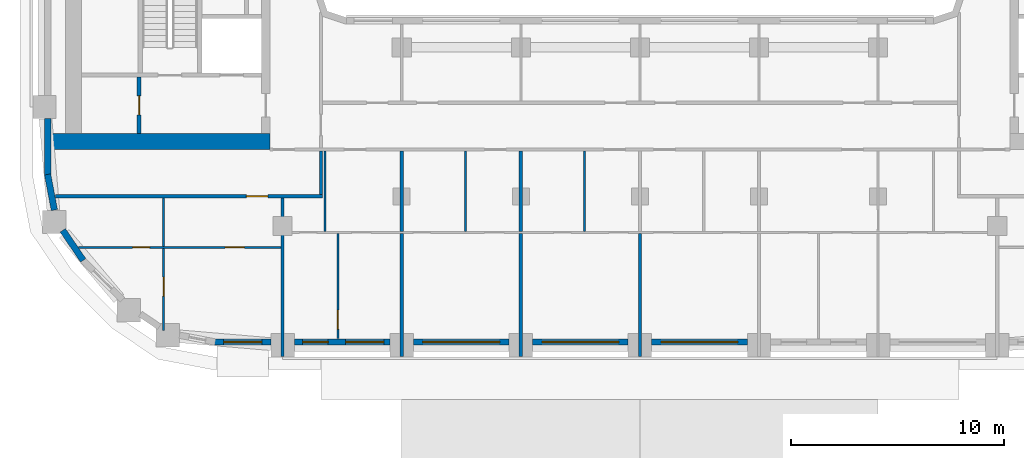
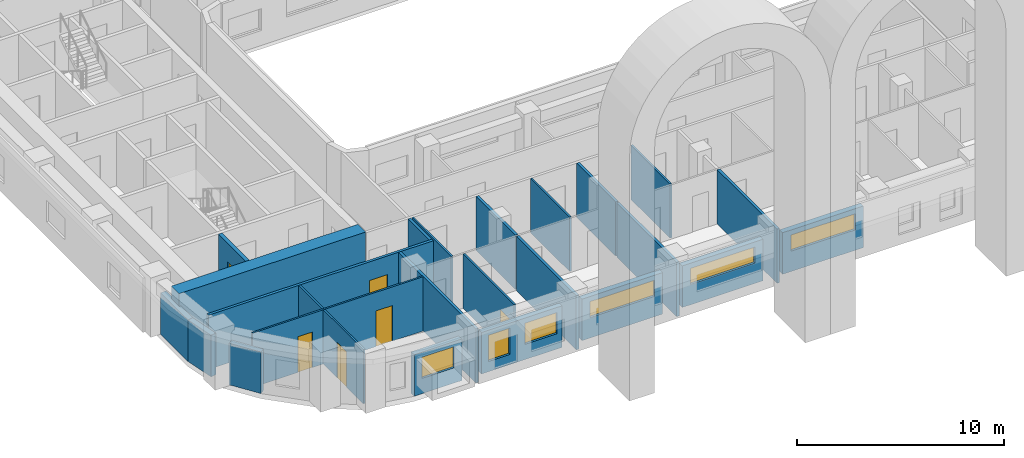
# One storey, part 2 of 18: 25 walls, 6 doors, 6 windows, 12 openings.
"""IFC4 building model written with IfcOpenShell, lengths in metres."""

from ifc_helpers import new_model, si_unit, direction, frame, frame_2d, origin, place, context, subcontext, project, spatial, rectangle, extrude, material, layer, layer_set, type_object, element, fill, save


model = new_model("IFC4")

# Units and contexts
model_context = context("Model", 3, precision=1e-05, world=origin(), true_north=direction((0.0, 1.0)))
body_context = subcontext(model_context, "Body", "Model", "MODEL_VIEW")
ifc_project = project(units=[si_unit("LENGTHUNIT", "METRE"), si_unit("AREAUNIT", "SQUARE_METRE"), si_unit("VOLUMEUNIT", "CUBIC_METRE"), si_unit("PLANEANGLEUNIT", "RADIAN"), si_unit("MASSUNIT", "GRAM", prefix="KILO")], contexts=[model_context])

# Site, building, storey
site_placement = place(None, origin())
site = spatial("IfcSite", under=ifc_project, at=site_placement, CompositionType="ELEMENT")
building_placement = place(site_placement, origin())
building = spatial("IfcBuilding", under=site, at=building_placement, Name="Kiln Ring Residences", CompositionType="ELEMENT")
storey_placement = place(building_placement, frame((0.0, 0.0, 157.10009765625)))
storey = spatial("IfcBuildingStorey", under=building, at=storey_placement, Name="L40", CompositionType="ELEMENT", Elevation=157.10009765625)

# Wall, opening, door
ifc_material_1 = material(Name="Gypsum board on steel studs", Category="steel")
ifc_layer_1 = layer(ifc_material_1, 0.199951171875)
ifc_layer_set_1 = layer_set([ifc_layer_1], Name="CORE-PARTITION-200")
wall_type_1 = type_object("IfcWallType", Name="CORE-PARTITION-200", PredefinedType="PARTITIONING", material=ifc_layer_set_1)
wall_1_placement = place(storey_placement, frame((-23.550048828125, -12.449951171875, 0.0), z_axis=(0.0, 0.0, 1.0), x_axis=(0.0, 1.0, 0.0)))
wall_1 = element("IfcWall", 1, at=wall_1_placement, inside=storey, type_object=wall_type_1, Name="Core partition west L40 5", PredefinedType="PARTITIONING", context=body_context, shape_type="SweptSolid", body=[
    extrude(rectangle(XDim=2.64990234375, YDim=0.199951171875, at=frame_2d((1.324951171875, 0.0))), origin(), (0.0, 0.0, 1.0), 3.199951171875),
])
opening_1_placement = place(wall_1_placement, frame((0.875, 0.0, 0.0)))
opening_1 = element("IfcOpeningElement", 2, at=opening_1_placement, cuts=wall_1, Name="Opening L40-CW10", PredefinedType="OPENING", context=body_context, shape_type="SweptSolid", body=[
    extrude(rectangle(XDim=0.89990234375, YDim=2.10009765625, at=frame_2d((0.449951171875, 1.050048828125))), frame((0.0, 0.10986328125, 0.0), z_axis=(0.0, -1.0, 0.0), x_axis=(1.0, 0.0, 0.0)), (0.0, 0.0, 1.0), 0.219970703125),
])
ifc_material_2 = material(Name="Steel door leaf", Category="steel")
door_type_1 = type_object("IfcDoorType", Name="CORE-DOOR-ROOM", OperationType="SINGLE_SWING_LEFT", PredefinedType="DOOR", material=ifc_material_2)
door_1_placement = place(opening_1_placement, origin())
door_1 = element("IfcDoor", 3, at=door_1_placement, inside=storey, type_object=door_type_1, Name="Store L40-CW10", OperationType="SINGLE_SWING_RIGHT", OverallHeight=2.10009765625, OverallWidth=0.89990234375, PredefinedType="DOOR", context=body_context, shape_type="SweptSolid", body=[
    extrude(rectangle(XDim=0.89990234375, YDim=2.10009765625, at=frame_2d((0.449951171875, 1.050048828125))), frame((0.0, 0.02490234375, 0.0), z_axis=(0.0, -1.0, 0.0), x_axis=(1.0, 0.0, 0.0)), (0.0, 0.0, 1.0), 0.050048828125),
])
fill(opening_1, door_1)

# Wall
ifc_material_3 = material(Name="Concrete C60/75", Category="concrete")
ifc_layer_2 = layer(ifc_material_3, 0.75)
ifc_layer_set_2 = layer_set([ifc_layer_2], Name="CORE-WALL-RC750")
wall_type_2 = type_object("IfcWallType", Name="CORE-WALL-RC750", PredefinedType="SHEAR", material=ifc_layer_set_2)
wall_2_placement = place(storey_placement, frame((-17.39990234375, -12.824951171875, 0.0), z_axis=(0.0, 0.0, 1.0), x_axis=(-1.0, 0.0, 0.0)))
element("IfcWall", 4, at=wall_2_placement, inside=storey, type_object=wall_type_2, Name="Core wall west L40 5", PredefinedType="SHEAR", context=body_context, shape_type="SweptSolid", body=[
    extrude(rectangle(XDim=10.400146484375, YDim=0.75, at=frame_2d((5.2001953125, 0.0))), origin(), (0.0, 0.0, 1.0), 3.199951171875),
])

# Wall, opening, window
ifc_material_4 = material(Name="Brick masonry, dark clay brick", Category="masonry")
ifc_layer_3 = layer(ifc_material_4, 0.300048828125)
ifc_layer_set_3 = layer_set([ifc_layer_3], Name="EW-300 BRICK WALL")
wall_type_3 = type_object("IfcWallType", Name="EW-300 BRICK WALL", PredefinedType="SOLIDWALL", material=ifc_layer_set_3)
wall_3_placement = place(storey_placement, frame((-20.0, -22.25, 0.0), z_axis=(0.0, 0.0, 1.0), x_axis=(1.0, 0.0, 0.0)))
wall_3 = element("IfcWall", 5, at=wall_3_placement, inside=storey, type_object=wall_type_3, Name="Facade wall L40 4", PredefinedType="SOLIDWALL", context=body_context, shape_type="SweptSolid", body=[
    extrude(rectangle(XDim=2.64990234375, YDim=0.300048828125, at=frame_2d((1.324951171875, 0.0))), origin(), (0.0, 0.0, 1.0), 2.449951171875),
])
opening_2_placement = place(wall_3_placement, frame((0.425048828125, 0.0, 0.89990234375)))
opening_2 = element("IfcOpeningElement", 6, at=opening_2_placement, cuts=wall_3, Name="Opening W2", PredefinedType="OPENING", context=body_context, shape_type="SweptSolid", body=[
    extrude(rectangle(XDim=1.800048828125, YDim=1.25, at=frame_2d((0.89990234375, 0.625))), frame((0.0, 0.159912109375, 0.0), z_axis=(0.0, -1.0, 0.0), x_axis=(1.0, 0.0, 0.0)), (0.0, 0.0, 1.0), 0.320068359375),
])
ifc_material_5 = material(Name="Aluminium frame with double glazing", Category="aluminium")
window_type_1 = type_object("IfcWindowType", Name="WINDOW 1800 x 1250", PartitioningType="SINGLE_PANEL", PredefinedType="WINDOW", material=ifc_material_5)
window_1_placement = place(opening_2_placement, origin())
window_1 = element("IfcWindow", 7, at=window_1_placement, inside=storey, type_object=window_type_1, Name="Window L40 3", OverallHeight=1.25, OverallWidth=1.800048828125, PartitioningType="SINGLE_PANEL", PredefinedType="WINDOW", context=body_context, shape_type="SweptSolid", body=[
    extrude(rectangle(XDim=1.800048828125, YDim=1.25, at=frame_2d((0.89990234375, 0.625))), frame((0.0, 0.030029296875, 0.0), z_axis=(0.0, -1.0, 0.0), x_axis=(1.0, 0.0, 0.0)), (0.0, 0.0, 1.0), 0.06005859375),
])
fill(opening_2, window_1)

# Wall, openings, windows
wall_4_placement = place(storey_placement, frame((-16.25, -22.25, 0.0), z_axis=(0.0, 0.0, 1.0), x_axis=(1.0, 0.0, 0.0)))
wall_4 = element("IfcWall", 8, at=wall_4_placement, inside=storey, type_object=wall_type_3, Name="Facade wall L40 5", PredefinedType="SOLIDWALL", context=body_context, shape_type="SweptSolid", body=[
    extrude(rectangle(XDim=4.5, YDim=0.300048828125, at=frame_2d((2.25, 0.0))), origin(), (0.0, 0.0, 1.0), 2.449951171875),
])
opening_3_placement = place(wall_4_placement, frame((0.387451171875, 0.0, 0.60009765625)))
opening_3 = element("IfcOpeningElement", 9, at=opening_3_placement, cuts=wall_4, Name="Opening W1", PredefinedType="OPENING", context=body_context, shape_type="SweptSolid", body=[
    extrude(rectangle(XDim=1.199951171875, YDim=1.550048828125, at=frame_2d((0.60009765625, 0.77490234375))), frame((0.0, 0.159912109375, 0.0), z_axis=(0.0, -1.0, 0.0), x_axis=(1.0, 0.0, 0.0)), (0.0, 0.0, 1.0), 0.320068359375),
])
opening_4_placement = place(wall_4_placement, frame((2.41259765625, 0.0, 0.89990234375)))
opening_4 = element("IfcOpeningElement", 10, at=opening_4_placement, cuts=wall_4, Name="Opening W2", PredefinedType="OPENING", context=body_context, shape_type="SweptSolid", body=[
    extrude(rectangle(XDim=1.800048828125, YDim=1.25, at=frame_2d((0.89990234375, 0.625))), frame((0.0, 0.159912109375, 0.0), z_axis=(0.0, -1.0, 0.0), x_axis=(1.0, 0.0, 0.0)), (0.0, 0.0, 1.0), 0.320068359375),
])
ifc_material_6 = material(Name="Aluminium frame with double glazing", Category="aluminium")
window_type_2 = type_object("IfcWindowType", Name="WINDOW 1200 x 1550", PartitioningType="SINGLE_PANEL", PredefinedType="WINDOW", material=ifc_material_6)
window_2_placement = place(opening_3_placement, origin())
window_2 = element("IfcWindow", 11, at=window_2_placement, inside=storey, type_object=window_type_2, Name="Window L40 4", OverallHeight=1.550048828125, OverallWidth=1.199951171875, PartitioningType="SINGLE_PANEL", PredefinedType="WINDOW", context=body_context, shape_type="SweptSolid", body=[
    extrude(rectangle(XDim=1.199951171875, YDim=1.550048828125, at=frame_2d((0.60009765625, 0.77490234375))), frame((0.0, 0.030029296875, 0.0), z_axis=(0.0, -1.0, 0.0), x_axis=(1.0, 0.0, 0.0)), (0.0, 0.0, 1.0), 0.06005859375),
])
fill(opening_3, window_2)
window_3_placement = place(opening_4_placement, origin())
window_3 = element("IfcWindow", 12, at=window_3_placement, inside=storey, type_object=window_type_1, Name="Window L40 5", OverallHeight=1.25, OverallWidth=1.800048828125, PartitioningType="SINGLE_PANEL", PredefinedType="WINDOW", context=body_context, shape_type="SweptSolid", body=[
    extrude(rectangle(XDim=1.800048828125, YDim=1.25, at=frame_2d((0.89990234375, 0.625))), frame((0.0, 0.030029296875, 0.0), z_axis=(0.0, -1.0, 0.0), x_axis=(1.0, 0.0, 0.0)), (0.0, 0.0, 1.0), 0.06005859375),
])
fill(opening_4, window_3)

# Wall, opening, window
wall_5_placement = place(storey_placement, frame((-10.64990234375, -22.25, 0.0), z_axis=(0.0, 0.0, 1.0), x_axis=(1.0, 0.0, 0.0)))
wall_5 = element("IfcWall", 13, at=wall_5_placement, inside=storey, type_object=wall_type_3, Name="Facade wall L40 6", PredefinedType="SOLIDWALL", context=body_context, shape_type="SweptSolid", body=[
    extrude(rectangle(XDim=4.5, YDim=0.300048828125, at=frame_2d((2.25, 0.0))), origin(), (0.0, 0.0, 1.0), 2.449951171875),
])
opening_5_placement = place(wall_5_placement, frame((0.449951171875, 0.0, 1.199951171875)))
opening_5 = element("IfcOpeningElement", 14, at=opening_5_placement, cuts=wall_5, Name="Opening W4", PredefinedType="OPENING", context=body_context, shape_type="SweptSolid", body=[
    extrude(rectangle(XDim=3.60009765625, YDim=0.949951171875, at=frame_2d((1.800048828125, 0.47509765625))), frame((0.0, 0.159912109375, 0.0), z_axis=(0.0, -1.0, 0.0), x_axis=(1.0, 0.0, 0.0)), (0.0, 0.0, 1.0), 0.320068359375),
])
ifc_material_7 = material(Name="Aluminium frame with double glazing", Category="aluminium")
window_type_3 = type_object("IfcWindowType", Name="WINDOW 3600 x 950", PartitioningType="SINGLE_PANEL", PredefinedType="WINDOW", material=ifc_material_7)
window_4_placement = place(opening_5_placement, origin())
window_4 = element("IfcWindow", 15, at=window_4_placement, inside=storey, type_object=window_type_3, Name="Window L40 6", OverallHeight=0.949951171875, OverallWidth=3.60009765625, PartitioningType="SINGLE_PANEL", PredefinedType="WINDOW", context=body_context, shape_type="SweptSolid", body=[
    extrude(rectangle(XDim=3.60009765625, YDim=0.949951171875, at=frame_2d((1.800048828125, 0.47509765625))), frame((0.0, 0.030029296875, 0.0), z_axis=(0.0, -1.0, 0.0), x_axis=(1.0, 0.0, 0.0)), (0.0, 0.0, 1.0), 0.06005859375),
])
fill(opening_5, window_4)

wall_6_placement = place(storey_placement, frame((-5.050048828125, -22.25, 0.0), z_axis=(0.0, 0.0, 1.0), x_axis=(1.0, 0.0, 0.0)))
wall_6 = element("IfcWall", 16, at=wall_6_placement, inside=storey, type_object=wall_type_3, Name="Facade wall L40 7", PredefinedType="SOLIDWALL", context=body_context, shape_type="SweptSolid", body=[
    extrude(rectangle(XDim=4.5, YDim=0.300048828125, at=frame_2d((2.25, 0.0))), origin(), (0.0, 0.0, 1.0), 2.449951171875),
])
opening_6_placement = place(wall_6_placement, frame((0.449951171875, 0.0, 1.199951171875)))
opening_6 = element("IfcOpeningElement", 17, at=opening_6_placement, cuts=wall_6, Name="Opening W4", PredefinedType="OPENING", context=body_context, shape_type="SweptSolid", body=[
    extrude(rectangle(XDim=3.60009765625, YDim=0.949951171875, at=frame_2d((1.800048828125, 0.47509765625))), frame((0.0, 0.159912109375, 0.0), z_axis=(0.0, -1.0, 0.0), x_axis=(1.0, 0.0, 0.0)), (0.0, 0.0, 1.0), 0.320068359375),
])
window_5_placement = place(opening_6_placement, origin())
window_5 = element("IfcWindow", 18, at=window_5_placement, inside=storey, type_object=window_type_3, Name="Window L40 7", OverallHeight=0.949951171875, OverallWidth=3.60009765625, PartitioningType="SINGLE_PANEL", PredefinedType="WINDOW", context=body_context, shape_type="SweptSolid", body=[
    extrude(rectangle(XDim=3.60009765625, YDim=0.949951171875, at=frame_2d((1.800048828125, 0.47509765625))), frame((0.0, 0.030029296875, 0.0), z_axis=(0.0, -1.0, 0.0), x_axis=(1.0, 0.0, 0.0)), (0.0, 0.0, 1.0), 0.06005859375),
])
fill(opening_6, window_5)

wall_7_placement = place(storey_placement, frame((0.550048828125, -22.25, 0.0), z_axis=(0.0, 0.0, 1.0), x_axis=(1.0, 0.0, 0.0)))
wall_7 = element("IfcWall", 19, at=wall_7_placement, inside=storey, type_object=wall_type_3, Name="Facade wall L40 8", PredefinedType="SOLIDWALL", context=body_context, shape_type="SweptSolid", body=[
    extrude(rectangle(XDim=4.5, YDim=0.300048828125, at=frame_2d((2.25, 0.0))), origin(), (0.0, 0.0, 1.0), 2.449951171875),
])
opening_7_placement = place(wall_7_placement, frame((0.449951171875, 0.0, 1.199951171875)))
opening_7 = element("IfcOpeningElement", 20, at=opening_7_placement, cuts=wall_7, Name="Opening W4", PredefinedType="OPENING", context=body_context, shape_type="SweptSolid", body=[
    extrude(rectangle(XDim=3.60009765625, YDim=0.949951171875, at=frame_2d((1.800048828125, 0.47509765625))), frame((0.0, 0.159912109375, 0.0), z_axis=(0.0, -1.0, 0.0), x_axis=(1.0, 0.0, 0.0)), (0.0, 0.0, 1.0), 0.320068359375),
])
window_6_placement = place(opening_7_placement, origin())
window_6 = element("IfcWindow", 21, at=window_6_placement, inside=storey, type_object=window_type_3, Name="Window L40 8", OverallHeight=0.949951171875, OverallWidth=3.60009765625, PartitioningType="SINGLE_PANEL", PredefinedType="WINDOW", context=body_context, shape_type="SweptSolid", body=[
    extrude(rectangle(XDim=3.60009765625, YDim=0.949951171875, at=frame_2d((1.800048828125, 0.47509765625))), frame((0.0, 0.030029296875, 0.0), z_axis=(0.0, -1.0, 0.0), x_axis=(1.0, 0.0, 0.0)), (0.0, 0.0, 1.0), 0.06005859375),
])
fill(opening_7, window_6)

# Walls
wall_8_placement = place(storey_placement, frame((-27.85009765625, -11.75, 0.0), z_axis=(0.0, 0.0, 1.0), x_axis=(0.0, -1.0, 0.0)))
element("IfcWall", 22, at=wall_8_placement, inside=storey, type_object=wall_type_3, Name="Facade wall L40 46", PredefinedType="SOLIDWALL", context=body_context, shape_type="SweptSolid", body=[
    extrude(rectangle(XDim=2.64990234375, YDim=0.300048828125, at=frame_2d((1.324951171875, 0.0))), origin(), (0.0, 0.0, 1.0), 2.449951171875),
])
wall_9_placement = place(storey_placement, frame((-27.8525390625, -14.371826171875, 0.0), z_axis=(0.0, 0.0, 1.0), x_axis=(0.187302784601, -0.982302227871, 0.0)))
element("IfcWall", 23, at=wall_9_placement, inside=storey, type_object=wall_type_3, Name="Facade wall L40 47", PredefinedType="SOLIDWALL", context=body_context, shape_type="SweptSolid", body=[
    extrude(rectangle(XDim=1.706298828125, YDim=0.300048828125, at=frame_2d((0.85302734375, 0.0))), origin(), (0.0, 0.0, 1.0), 2.449951171875),
])
wall_10_placement = place(storey_placement, frame((-27.137939453125, -17.001708984375, 0.0), z_axis=(0.0, 0.0, 1.0), x_axis=(0.562075160946, -0.827086158419, 0.0)))
element("IfcWall", 24, at=wall_10_placement, inside=storey, type_object=wall_type_3, Name="Facade wall L40 48", PredefinedType="SOLIDWALL", context=body_context, shape_type="SweptSolid", body=[
    extrude(rectangle(XDim=1.7060546875, YDim=0.300048828125, at=frame_2d((0.85302734375, 0.0))), origin(), (0.0, 0.0, 1.0), 2.449951171875),
])

# Wall, openings, doors
ifc_material_8 = material(Name="Gypsum board on steel studs", Category="steel")
ifc_layer_4 = layer(ifc_material_8, 0.10009765625)
ifc_layer_set_4 = layer_set([ifc_layer_4], Name="PARTITION-100")
wall_type_4 = type_object("IfcWallType", Name="PARTITION-100", PredefinedType="PARTITIONING", material=ifc_layer_set_4)
wall_11_placement = place(storey_placement, frame((-26.39404296875, -17.800048828125, 0.0), z_axis=(0.0, 0.0, 1.0), x_axis=(1.0, 0.0, 0.0)))
wall_11 = element("IfcWall", 25, at=wall_11_placement, inside=storey, type_object=wall_type_4, Name="Partition 000", PredefinedType="PARTITIONING", context=body_context, shape_type="SweptSolid", body=[
    extrude(rectangle(XDim=9.51904296875, YDim=0.10009765625, at=frame_2d((4.759521484375, 0.0))), origin(), (0.0, 0.0, 1.0), 3.199951171875),
])
opening_8_placement = place(wall_11_placement, frame((2.5439453125, 0.0, 0.0)))
opening_8 = element("IfcOpeningElement", 26, at=opening_8_placement, cuts=wall_11, Name="Opening L40-D071", PredefinedType="OPENING", context=body_context, shape_type="SweptSolid", body=[
    extrude(rectangle(XDim=0.800048828125, YDim=2.10009765625, at=frame_2d((0.39990234375, 1.050048828125))), frame((0.0, 0.06005859375, 0.0), z_axis=(0.0, -1.0, 0.0), x_axis=(1.0, 0.0, 0.0)), (0.0, 0.0, 1.0), 0.1201171875),
])
opening_9_placement = place(wall_11_placement, frame((6.89404296875, 0.0, 0.0)))
opening_9 = element("IfcOpeningElement", 27, at=opening_9_placement, cuts=wall_11, Name="Opening L40-D072", PredefinedType="OPENING", context=body_context, shape_type="SweptSolid", body=[
    extrude(rectangle(XDim=0.89990234375, YDim=2.10009765625, at=frame_2d((0.449951171875, 1.050048828125))), frame((0.0, 0.06005859375, 0.0), z_axis=(0.0, -1.0, 0.0), x_axis=(1.0, 0.0, 0.0)), (0.0, 0.0, 1.0), 0.1201171875),
])
ifc_material_9 = material(Name="Timber door leaf", Category="wood")
door_type_2 = type_object("IfcDoorType", Name="FLAT-DOOR-800-PL", OperationType="SINGLE_SWING_LEFT", PredefinedType="DOOR", material=ifc_material_9)
door_2_placement = place(opening_8_placement, origin())
door_2 = element("IfcDoor", 28, at=door_2_placement, inside=storey, type_object=door_type_2, Name="Door L40-D071", OperationType="SINGLE_SWING_LEFT", OverallHeight=2.10009765625, OverallWidth=0.800048828125, PredefinedType="DOOR", context=body_context, shape_type="SweptSolid", body=[
    extrude(rectangle(XDim=0.800048828125, YDim=2.10009765625, at=frame_2d((0.39990234375, 1.050048828125))), frame((0.0, 0.02490234375, 0.0), z_axis=(0.0, -1.0, 0.0), x_axis=(1.0, 0.0, 0.0)), (0.0, 0.0, 1.0), 0.050048828125),
])
fill(opening_8, door_2)
ifc_material_10 = material(Name="Timber door leaf", Category="wood")
door_type_3 = type_object("IfcDoorType", Name="FLAT-DOOR-900-PL", OperationType="SINGLE_SWING_LEFT", PredefinedType="DOOR", material=ifc_material_10)
door_3_placement = place(opening_9_placement, origin())
door_3 = element("IfcDoor", 29, at=door_3_placement, inside=storey, type_object=door_type_3, Name="Door L40-D072", OperationType="SINGLE_SWING_RIGHT", OverallHeight=2.10009765625, OverallWidth=0.89990234375, PredefinedType="DOOR", context=body_context, shape_type="SweptSolid", body=[
    extrude(rectangle(XDim=0.89990234375, YDim=2.10009765625, at=frame_2d((0.449951171875, 1.050048828125))), frame((0.0, 0.02490234375, 0.0), z_axis=(0.0, -1.0, 0.0), x_axis=(1.0, 0.0, 0.0)), (0.0, 0.0, 1.0), 0.050048828125),
])
fill(opening_9, door_3)

# Wall, opening, door
wall_12_placement = place(storey_placement, frame((-22.39990234375, -21.719970703125, 0.0), z_axis=(0.0, 0.0, 1.0), x_axis=(0.0, 1.0, 0.0)))
wall_12 = element("IfcWall", 30, at=wall_12_placement, inside=storey, type_object=wall_type_4, Name="Partition 014", PredefinedType="PARTITIONING", context=body_context, shape_type="SweptSolid", body=[
    extrude(rectangle(XDim=3.869873046875, YDim=0.10009765625, at=frame_2d((1.93505859375, 0.0))), origin(), (0.0, 0.0, 1.0), 3.199951171875),
])
opening_10_placement = place(wall_12_placement, frame((1.6201171875, 0.0, 0.0)))
opening_10 = element("IfcOpeningElement", 31, at=opening_10_placement, cuts=wall_12, Name="Opening L40-D073", PredefinedType="OPENING", context=body_context, shape_type="SweptSolid", body=[
    extrude(rectangle(XDim=0.89990234375, YDim=2.10009765625, at=frame_2d((0.449951171875, 1.050048828125))), frame((0.0, 0.06005859375, 0.0), z_axis=(0.0, -1.0, 0.0), x_axis=(1.0, 0.0, 0.0)), (0.0, 0.0, 1.0), 0.1201171875),
])
door_4_placement = place(opening_10_placement, origin())
door_4 = element("IfcDoor", 32, at=door_4_placement, inside=storey, type_object=door_type_3, Name="Door L40-D073", OperationType="SINGLE_SWING_LEFT", OverallHeight=2.10009765625, OverallWidth=0.89990234375, PredefinedType="DOOR", context=body_context, shape_type="SweptSolid", body=[
    extrude(rectangle(XDim=0.89990234375, YDim=2.10009765625, at=frame_2d((0.449951171875, 1.050048828125))), frame((0.0, 0.02490234375, 0.0), z_axis=(0.0, -1.0, 0.0), x_axis=(1.0, 0.0, 0.0)), (0.0, 0.0, 1.0), 0.050048828125),
])
fill(opening_10, door_4)

# Walls
wall_13_placement = place(storey_placement, frame((-22.39990234375, -17.75, 0.0), z_axis=(0.0, 0.0, 1.0), x_axis=(0.0, 1.0, 0.0)))
element("IfcWall", 33, at=wall_13_placement, inside=storey, type_object=wall_type_4, Name="Partition 015", PredefinedType="PARTITIONING", context=body_context, shape_type="SweptSolid", body=[
    extrude(rectangle(XDim=2.27490234375, YDim=0.10009765625, at=frame_2d((1.137451171875, 0.0))), origin(), (0.0, 0.0, 1.0), 3.199951171875),
])
wall_14_placement = place(storey_placement, frame((-14.800048828125, -17.050048828125, 0.0), z_axis=(0.0, 0.0, 1.0), x_axis=(0.0, 1.0, 0.0)))
element("IfcWall", 34, at=wall_14_placement, inside=storey, type_object=wall_type_4, Name="Partition 024", PredefinedType="PARTITIONING", context=body_context, shape_type="SweptSolid", body=[
    extrude(rectangle(XDim=3.775146484375, YDim=0.10009765625, at=frame_2d((1.8876953125, 0.0))), origin(), (0.0, 0.0, 1.0), 3.199951171875),
])

# Wall, opening, door
wall_15_placement = place(storey_placement, frame((-14.199951171875, -22.080078125, 0.0), z_axis=(0.0, 0.0, 1.0), x_axis=(0.0, 1.0, 0.0)))
wall_15 = element("IfcWall", 35, at=wall_15_placement, inside=storey, type_object=wall_type_4, Name="Partition 025", PredefinedType="PARTITIONING", context=body_context, shape_type="SweptSolid", body=[
    extrude(rectangle(XDim=4.93017578125, YDim=0.10009765625, at=frame_2d((2.465087890625, 0.0))), origin(), (0.0, 0.0, 1.0), 3.199951171875),
])
opening_11_placement = place(wall_15_placement, frame((0.429931640625, 0.0, 0.0)))
opening_11 = element("IfcOpeningElement", 36, at=opening_11_placement, cuts=wall_15, Name="Opening L40-D050", PredefinedType="OPENING", context=body_context, shape_type="SweptSolid", body=[
    extrude(rectangle(XDim=0.89990234375, YDim=2.10009765625, at=frame_2d((0.449951171875, 1.050048828125))), frame((0.0, 0.06005859375, 0.0), z_axis=(0.0, -1.0, 0.0), x_axis=(1.0, 0.0, 0.0)), (0.0, 0.0, 1.0), 0.1201171875),
])
door_5_placement = place(opening_11_placement, origin())
door_5 = element("IfcDoor", 37, at=door_5_placement, inside=storey, type_object=door_type_3, Name="Door L40-D050", OperationType="SINGLE_SWING_RIGHT", OverallHeight=2.10009765625, OverallWidth=0.89990234375, PredefinedType="DOOR", context=body_context, shape_type="SweptSolid", body=[
    extrude(rectangle(XDim=0.89990234375, YDim=2.10009765625, at=frame_2d((0.449951171875, 1.050048828125))), frame((0.0, 0.02490234375, 0.0), z_axis=(0.0, -1.0, 0.0), x_axis=(1.0, 0.0, 0.0)), (0.0, 0.0, 1.0), 0.050048828125),
])
fill(opening_11, door_5)

# Walls
for number, where, z_axis, x_axis, name in (
    (38, (-8.199951171875, -17.050048828125, 0.0), (0.0, 0.0, 1.0), (0.0, 1.0, 0.0), "Partition 032"),
    (39, (-2.60009765625, -17.050048828125, 0.0), (0.0, 0.0, 1.0), (0.0, 1.0, 0.0), "Partition 040"),
):
    element("IfcWall", number, at=place(storey_placement, frame(where, z_axis=z_axis, x_axis=x_axis)), inside=storey, type_object=wall_type_4, Name=name, PredefinedType="PARTITIONING", context=body_context, shape_type="SweptSolid", body=[
        extrude(rectangle(XDim=3.775146484375, YDim=0.10009765625, at=frame_2d((1.8876953125, 0.0))), origin(), (0.0, 0.0, 1.0), 3.199951171875),
    ])

# Wall, opening, door
ifc_material_11 = material(Name="Brick masonry partition", Category="masonry")
ifc_layer_5 = layer(ifc_material_11, 0.14990234375)
ifc_layer_set_5 = layer_set([ifc_layer_5], Name="PARTITION-150-ei60")
wall_type_5 = type_object("IfcWallType", Name="PARTITION-150-ei60", PredefinedType="PARTITIONING", material=ifc_layer_set_5)
wall_16_placement = place(storey_placement, frame((-27.48388671875, -15.39990234375, 0.0), z_axis=(0.0, 0.0, 1.0), x_axis=(1.0, 0.0, 0.0)))
wall_16 = element("IfcWall", 40, at=wall_16_placement, inside=storey, type_object=wall_type_5, Name="Partition 003", PredefinedType="PARTITIONING", context=body_context, shape_type="SweptSolid", body=[
    extrude(rectangle(XDim=12.558837890625, YDim=0.14990234375, at=frame_2d((6.279296875, 0.0))), origin(), (0.0, 0.0, 1.0), 3.199951171875),
])
opening_12_placement = place(wall_16_placement, frame((8.98388671875, 0.0, 0.0)))
opening_12 = element("IfcOpeningElement", 41, at=opening_12_placement, cuts=wall_16, Name="Opening L40-D070", PredefinedType="OPENING", context=body_context, shape_type="SweptSolid", body=[
    extrude(rectangle(XDim=1.0, YDim=2.10009765625, at=frame_2d((0.5, 1.050048828125))), frame((0.0, 0.0849609375, 0.0), z_axis=(0.0, -1.0, 0.0), x_axis=(1.0, 0.0, 0.0)), (0.0, 0.0, 1.0), 0.169921875),
])
ifc_material_12 = material(Name="Steel faced fire door leaf", Category="steel")
door_type_4 = type_object("IfcDoorType", Name="FLAT-DOOR-1000-FR", OperationType="SINGLE_SWING_LEFT", PredefinedType="DOOR", material=ifc_material_12)
door_6_placement = place(opening_12_placement, origin())
door_6 = element("IfcDoor", 42, at=door_6_placement, inside=storey, type_object=door_type_4, Name="Door L40-D070", OperationType="SINGLE_SWING_RIGHT", OverallHeight=2.10009765625, OverallWidth=1.0, PredefinedType="DOOR", context=body_context, shape_type="SweptSolid", body=[
    extrude(rectangle(XDim=1.0, YDim=2.10009765625, at=frame_2d((0.5, 1.050048828125))), frame((0.0, 0.02490234375, 0.0), z_axis=(0.0, -1.0, 0.0), x_axis=(1.0, 0.0, 0.0)), (0.0, 0.0, 1.0), 0.050048828125),
])
fill(opening_12, door_6)

# Walls
wall_17_placement = place(storey_placement, frame((-16.800048828125, -22.929931640625, 0.0), z_axis=(0.0, 0.0, 1.0), x_axis=(0.0, 1.0, 0.0)))
element("IfcWall", 43, at=wall_17_placement, inside=storey, type_object=wall_type_5, Name="Partition 018", PredefinedType="PARTITIONING", context=body_context, shape_type="SweptSolid", body=[
    extrude(rectangle(XDim=7.454833984375, YDim=0.14990234375, at=frame_2d((3.7275390625, 0.0))), origin(), (0.0, 0.0, 1.0), 3.199951171875),
])
wall_18_placement = place(storey_placement, frame((-15.0, -15.324951171875, 0.0), z_axis=(0.0, 0.0, 1.0), x_axis=(0.0, 1.0, 0.0)))
element("IfcWall", 44, at=wall_18_placement, inside=storey, type_object=wall_type_5, Name="Partition 020", PredefinedType="PARTITIONING", context=body_context, shape_type="SweptSolid", body=[
    extrude(rectangle(XDim=2.050048828125, YDim=0.14990234375, at=frame_2d((1.02490234375, 0.0))), origin(), (0.0, 0.0, 1.0), 3.199951171875),
])
wall_19_placement = place(storey_placement, frame((-11.199951171875, -22.929931640625, 0.0), z_axis=(0.0, 0.0, 1.0), x_axis=(0.0, 1.0, 0.0)))
element("IfcWall", 45, at=wall_19_placement, inside=storey, type_object=wall_type_5, Name="Partition 030", PredefinedType="PARTITIONING", context=body_context, shape_type="SweptSolid", body=[
    extrude(rectangle(XDim=5.780029296875, YDim=0.14990234375, at=frame_2d((2.89013671875, 0.0))), origin(), (0.0, 0.0, 1.0), 3.199951171875),
])
wall_20_placement = place(storey_placement, frame((-11.199951171875, -17.050048828125, 0.0), z_axis=(0.0, 0.0, 1.0), x_axis=(0.0, 1.0, 0.0)))
element("IfcWall", 46, at=wall_20_placement, inside=storey, type_object=wall_type_5, Name="Partition 031", PredefinedType="PARTITIONING", context=body_context, shape_type="SweptSolid", body=[
    extrude(rectangle(XDim=3.775146484375, YDim=0.14990234375, at=frame_2d((1.8876953125, 0.0))), origin(), (0.0, 0.0, 1.0), 3.199951171875),
])
wall_21_placement = place(storey_placement, frame((-5.60009765625, -22.929931640625, 0.0), z_axis=(0.0, 0.0, 1.0), x_axis=(0.0, 1.0, 0.0)))
element("IfcWall", 47, at=wall_21_placement, inside=storey, type_object=wall_type_5, Name="Partition 037", PredefinedType="PARTITIONING", context=body_context, shape_type="SweptSolid", body=[
    extrude(rectangle(XDim=5.780029296875, YDim=0.14990234375, at=frame_2d((2.89013671875, 0.0))), origin(), (0.0, 0.0, 1.0), 3.199951171875),
])
wall_22_placement = place(storey_placement, frame((-5.60009765625, -17.050048828125, 0.0), z_axis=(0.0, 0.0, 1.0), x_axis=(0.0, 1.0, 0.0)))
element("IfcWall", 48, at=wall_22_placement, inside=storey, type_object=wall_type_5, Name="Partition 038", PredefinedType="PARTITIONING", context=body_context, shape_type="SweptSolid", body=[
    extrude(rectangle(XDim=3.775146484375, YDim=0.14990234375, at=frame_2d((1.8876953125, 0.0))), origin(), (0.0, 0.0, 1.0), 3.199951171875),
])
wall_23_placement = place(storey_placement, frame((0.0, -22.929931640625, 0.0), z_axis=(0.0, 0.0, 1.0), x_axis=(0.0, 1.0, 0.0)))
element("IfcWall", 49, at=wall_23_placement, inside=storey, type_object=wall_type_5, Name="Partition 043", PredefinedType="PARTITIONING", context=body_context, shape_type="SweptSolid", body=[
    extrude(rectangle(XDim=5.780029296875, YDim=0.14990234375, at=frame_2d((2.89013671875, 0.0))), origin(), (0.0, 0.0, 1.0), 3.199951171875),
])

save(model, "model.ifc")
